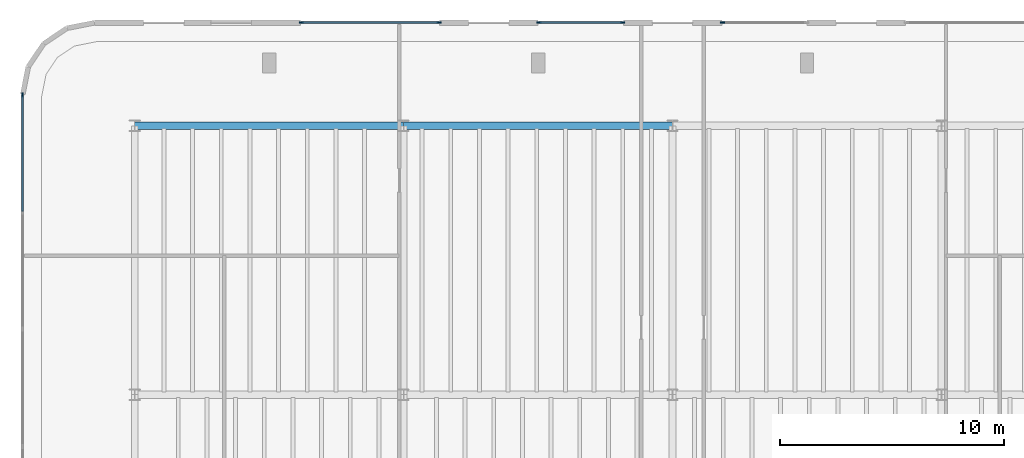
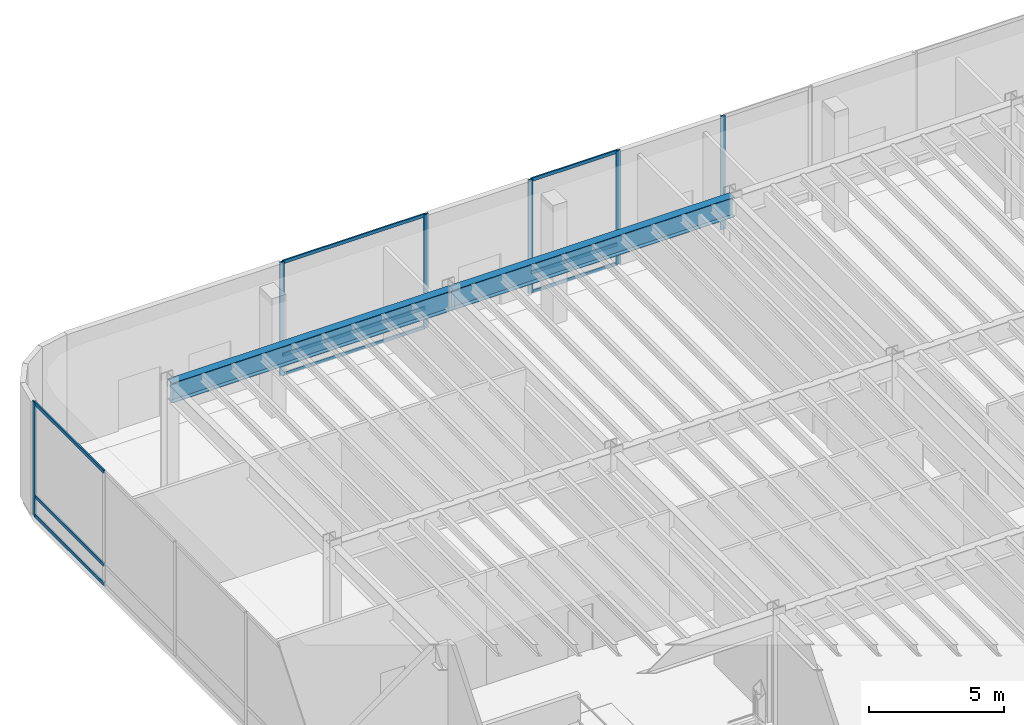
# One storey, part 4 of 17: 15 members, 2 beams, 4 elements without a shape of their own.
"""IFC4 building model written with IfcOpenShell, lengths in metres."""

from ifc_helpers import new_model, si_unit, direction, frame, origin, origin_2d, place, context, subcontext, project, spatial, rectangle, i_section, extrude, source, transform, mapped, material, layer, layer_set, material_profile, profile_set, type_object, element, aggregate, save


model = new_model("IFC4")

# Units and contexts
model_context = context("Model", 3, precision=1e-05, world=origin(), true_north=direction((0.0, 1.0)))
body_context = subcontext(model_context, "Body", "Model", "MODEL_VIEW")
ifc_project = project(units=[si_unit("LENGTHUNIT", "METRE"), si_unit("AREAUNIT", "SQUARE_METRE"), si_unit("VOLUMEUNIT", "CUBIC_METRE"), si_unit("PLANEANGLEUNIT", "RADIAN"), si_unit("MASSUNIT", "GRAM", prefix="KILO")], contexts=[model_context])

# Site, building, storey
site_placement = place(None, origin())
site = spatial("IfcSite", under=ifc_project, at=site_placement, CompositionType="ELEMENT")
building_placement = place(site_placement, origin())
building = spatial("IfcBuilding", under=site, at=building_placement, Name="Brelvock Crest Care Tower", CompositionType="ELEMENT")
storey_placement = place(building_placement, origin())
storey = spatial("IfcBuildingStorey", under=building, at=storey_placement, Name="L00", CompositionType="ELEMENT", Elevation=0.0)

# Beams
ifc_material_1 = material(Name="Steel Grade 350", Category="steel")
ifc_material_profile_1 = material_profile(ifc_material_1, i_section(OverallWidth=0.35009765625, OverallDepth=0.89990234375, WebThickness=0.01611328125, FlangeThickness=0.028076171875, at=origin_2d()), Name="900WB257")
ifc_profile_set_1 = profile_set([ifc_material_profile_1], Name="Steel Grade 350")
beam_type = type_object("IfcBeamType", Name="BM-G6", PredefinedType="BEAM", material=ifc_profile_set_1)
shared_shape_1 = source(origin(), body_context, "Body", "SweptSolid", [
    extrude(i_section(OverallWidth=0.35009765625, OverallDepth=0.89990234375, WebThickness=0.01611328125, FlangeThickness=0.028076171875, at=origin_2d()), origin(), (0.0, 0.0, 1.0), 12.0),
])
for number, where, z_axis, x_axis, name in (
    (1, (12.0, 54.0, 4.669921875), (1.0, 0.0, 0.0), (0.0, 1.0, 0.0), "BM-PODX-L00-54-12"),
    (2, (24.0, 54.0, 4.669921875), (1.0, 0.0, 0.0), (0.0, 1.0, 0.0), "BM-PODX-L00-54-24"),
):
    element("IfcBeam", number, at=place(storey_placement, frame(where, z_axis=z_axis, x_axis=x_axis)), inside=storey, type_object=beam_type, Name=name, PredefinedType="BEAM", context=body_context, shape_type="MappedRepresentation", body=[
        mapped(shared_shape_1, transform((0.0, 0.0, 0.0), x_axis=(1.0, 0.0, 0.0), y_axis=(0.0, 1.0, 0.0), z_axis=(0.0, 0.0, 1.0), scale=1.0)),
    ])

# Curtain wall, member
ifc_material_2 = material(Name="Dark Glass Double Glazed Low-E", Category="glass")
ifc_layer = layer(ifc_material_2, 0.179931640625, Name="CWS-1")
ifc_layer_set = layer_set([ifc_layer], Name="Dark Glass Double Glazed Low-E")
curtain_wall_type = type_object("IfcCurtainWallType", Name="CWS-1", PredefinedType="NOTDEFINED", material=ifc_layer_set)
curtain_wall_1_placement = place(storey_placement, origin())
curtain_wall_1 = element("IfcCurtainWall", 3, at=curtain_wall_1_placement, inside=storey, type_object=curtain_wall_type, Name="L00 Curtain Wall WN", PredefinedType="NOTDEFINED")
ifc_material_3 = material(Name="Aluminium 6063-T6", Category="aluminium")
ifc_material_profile_2 = material_profile(ifc_material_3, rectangle(XDim=0.06494140625, YDim=0.199951171875, at=origin_2d()), Name="ALU65x200")
ifc_profile_set_2 = profile_set([ifc_material_profile_2], Name="Aluminium 6063-T6")
member_type_1 = type_object("IfcMemberType", Name="CWM-1", PredefinedType="MULLION", material=ifc_profile_set_2)
shared_shape_2 = source(origin(), body_context, "Body", "SweptSolid", [
    extrude(rectangle(XDim=0.06494140625, YDim=0.199951171875, at=origin_2d()), origin(), (0.0, 0.0, 1.0), 5.1201171875),
])
member_1_placement = place(storey_placement, frame((7.0, 55.367431640625, 0.0), z_axis=(0.0, 0.0, 1.0), x_axis=(-1.0, 0.0, 0.0)))
member_1 = element("IfcMember", 4, at=member_1_placement, type_object=member_type_1, Name="CW-1 mullion 5", PredefinedType="MULLION", context=body_context, shape_type="MappedRepresentation", body=[
    mapped(shared_shape_2, transform((0.0, 0.0, 0.0), x_axis=(1.0, 0.0, 0.0), y_axis=(0.0, 1.0, 0.0), z_axis=(0.0, 0.0, 1.0), scale=1.0)),
])

# Curtain wall, members
curtain_wall_2_placement = place(storey_placement, origin())
curtain_wall_2 = element("IfcCurtainWall", 5, at=curtain_wall_2_placement, inside=storey, type_object=curtain_wall_type, Name="L00 Curtain Wall NCW1", PredefinedType="NOTDEFINED")
member_2_placement = place(storey_placement, frame((19.4326171875, 58.60009765625, 0.0), z_axis=(0.0, 0.0, 1.0), x_axis=(0.0, 1.0, 0.0)))
member_2 = element("IfcMember", 6, at=member_2_placement, type_object=member_type_1, Name="CW-1 mullion 1", PredefinedType="MULLION", context=body_context, shape_type="MappedRepresentation", body=[
    mapped(shared_shape_2, transform((0.0, 0.0, 0.0), x_axis=(1.0, 0.0, 0.0), y_axis=(0.0, 1.0, 0.0), z_axis=(0.0, 0.0, 1.0), scale=1.0)),
])
member_3_placement = place(storey_placement, frame((25.5673828125, 58.60009765625, 0.0), z_axis=(0.0, 0.0, 1.0), x_axis=(0.0, 1.0, 0.0)))
member_3 = element("IfcMember", 7, at=member_3_placement, type_object=member_type_1, Name="CW-1 mullion 2", PredefinedType="MULLION", context=body_context, shape_type="MappedRepresentation", body=[
    mapped(shared_shape_2, transform((0.0, 0.0, 0.0), x_axis=(1.0, 0.0, 0.0), y_axis=(0.0, 1.0, 0.0), z_axis=(0.0, 0.0, 1.0), scale=1.0)),
])

curtain_wall_3_placement = place(storey_placement, origin())
curtain_wall_3 = element("IfcCurtainWall", 8, at=curtain_wall_3_placement, inside=storey, type_object=curtain_wall_type, Name="L00 Curtain Wall NCW2A", PredefinedType="NOTDEFINED")
member_4_placement = place(storey_placement, frame((30.032470703125, 58.60009765625, 0.0), z_axis=(0.0, 0.0, 1.0), x_axis=(0.0, 1.0, 0.0)))
member_4 = element("IfcMember", 9, at=member_4_placement, type_object=member_type_1, Name="CW-1 mullion 1", PredefinedType="MULLION", context=body_context, shape_type="MappedRepresentation", body=[
    mapped(shared_shape_2, transform((0.0, 0.0, 0.0), x_axis=(1.0, 0.0, 0.0), y_axis=(0.0, 1.0, 0.0), z_axis=(0.0, 0.0, 1.0), scale=1.0)),
])
member_5_placement = place(storey_placement, frame((33.767578125, 58.60009765625, 0.0), z_axis=(0.0, 0.0, 1.0), x_axis=(0.0, 1.0, 0.0)))
member_5 = element("IfcMember", 10, at=member_5_placement, type_object=member_type_1, Name="CW-1 mullion 2", PredefinedType="MULLION", context=body_context, shape_type="MappedRepresentation", body=[
    mapped(shared_shape_2, transform((0.0, 0.0, 0.0), x_axis=(1.0, 0.0, 0.0), y_axis=(0.0, 1.0, 0.0), z_axis=(0.0, 0.0, 1.0), scale=1.0)),
])

# Curtain wall, member
curtain_wall_4_placement = place(storey_placement, origin())
curtain_wall_4 = element("IfcCurtainWall", 11, at=curtain_wall_4_placement, inside=storey, type_object=curtain_wall_type, Name="L00 Curtain Wall NCW2B", PredefinedType="NOTDEFINED")
member_6_placement = place(storey_placement, frame((38.232421875, 58.60009765625, 0.0), z_axis=(0.0, 0.0, 1.0), x_axis=(0.0, 1.0, 0.0)))
member_6 = element("IfcMember", 12, at=member_6_placement, type_object=member_type_1, Name="CW-1 mullion 1", PredefinedType="MULLION", context=body_context, shape_type="MappedRepresentation", body=[
    mapped(shared_shape_2, transform((0.0, 0.0, 0.0), x_axis=(1.0, 0.0, 0.0), y_axis=(0.0, 1.0, 0.0), z_axis=(0.0, 0.0, 1.0), scale=1.0)),
])
aggregate(curtain_wall_4, [member_6])

# Member
ifc_material_profile_3 = material_profile(ifc_material_3, rectangle(XDim=0.06494140625, YDim=0.14990234375, at=origin_2d()), Name="ALU65x150")
ifc_profile_set_3 = profile_set([ifc_material_profile_3], Name="Aluminium 6063-T6")
member_type_2 = type_object("IfcMemberType", Name="CWT-1", PredefinedType="USERDEFINED", material=ifc_profile_set_3)
shared_shape_3 = source(origin(), body_context, "Body", "SweptSolid", [
    extrude(rectangle(XDim=0.06494140625, YDim=0.14990234375, at=origin_2d()), origin(), (0.0, 0.0, 1.0), 5.139892578125),
])
member_7_placement = place(storey_placement, frame((7.0, 50.195068359375, 0.032470703125), z_axis=(0.0, 1.0, 0.0), x_axis=(-1.0, 0.0, 0.0)))
member_7 = element("IfcMember", 13, at=member_7_placement, type_object=member_type_2, Name="CW-1 transom 4.1", ObjectType="TRANSOM", PredefinedType="USERDEFINED", context=body_context, shape_type="MappedRepresentation", body=[
    mapped(shared_shape_3, transform((0.0, 0.0, 0.0), x_axis=(1.0, 0.0, 0.0), y_axis=(0.0, 1.0, 0.0), z_axis=(0.0, 0.0, 1.0), scale=1.0)),
])

member_8_placement = place(storey_placement, frame((7.0, 50.195068359375, 0.89990234375), z_axis=(0.0, 1.0, 0.0), x_axis=(-1.0, 0.0, 0.0)))
member_8 = element("IfcMember", 14, at=member_8_placement, type_object=member_type_2, Name="CW-1 transom 4.2", ObjectType="TRANSOM", PredefinedType="USERDEFINED", context=body_context, shape_type="MappedRepresentation", body=[
    mapped(shared_shape_3, transform((0.0, 0.0, 0.0), x_axis=(1.0, 0.0, 0.0), y_axis=(0.0, 1.0, 0.0), z_axis=(0.0, 0.0, 1.0), scale=1.0)),
])

member_9_placement = place(storey_placement, frame((7.0, 50.195068359375, 5.08740234375), z_axis=(0.0, 1.0, 0.0), x_axis=(-1.0, 0.0, 0.0)))
member_9 = element("IfcMember", 15, at=member_9_placement, type_object=member_type_2, Name="CW-1 transom 4.3", ObjectType="TRANSOM", PredefinedType="USERDEFINED", context=body_context, shape_type="MappedRepresentation", body=[
    mapped(shared_shape_3, transform((0.0, 0.0, 0.0), x_axis=(1.0, 0.0, 0.0), y_axis=(0.0, 1.0, 0.0), z_axis=(0.0, 0.0, 1.0), scale=1.0)),
])

aggregate(curtain_wall_1, [member_1, member_7, member_8, member_9])

shared_shape_4 = source(origin(), body_context, "Body", "SweptSolid", [
    extrude(rectangle(XDim=0.06494140625, YDim=0.14990234375, at=origin_2d()), origin(), (0.0, 0.0, 1.0), 6.06982421875),
])
member_10_placement = place(storey_placement, frame((19.465087890625, 58.60009765625, 0.032470703125), z_axis=(1.0, 0.0, 0.0), x_axis=(0.0, 1.0, 0.0)))
member_10 = element("IfcMember", 16, at=member_10_placement, type_object=member_type_2, Name="CW-1 transom 1.1", ObjectType="TRANSOM", PredefinedType="USERDEFINED", context=body_context, shape_type="MappedRepresentation", body=[
    mapped(shared_shape_4, transform((0.0, 0.0, 0.0), x_axis=(1.0, 0.0, 0.0), y_axis=(0.0, 1.0, 0.0), z_axis=(0.0, 0.0, 1.0), scale=1.0)),
])

member_11_placement = place(storey_placement, frame((19.465087890625, 58.60009765625, 0.89990234375), z_axis=(1.0, 0.0, 0.0), x_axis=(0.0, 1.0, 0.0)))
member_11 = element("IfcMember", 17, at=member_11_placement, type_object=member_type_2, Name="CW-1 transom 1.2", ObjectType="TRANSOM", PredefinedType="USERDEFINED", context=body_context, shape_type="MappedRepresentation", body=[
    mapped(shared_shape_4, transform((0.0, 0.0, 0.0), x_axis=(1.0, 0.0, 0.0), y_axis=(0.0, 1.0, 0.0), z_axis=(0.0, 0.0, 1.0), scale=1.0)),
])

member_12_placement = place(storey_placement, frame((19.465087890625, 58.60009765625, 5.08740234375), z_axis=(1.0, 0.0, 0.0), x_axis=(0.0, 1.0, 0.0)))
member_12 = element("IfcMember", 18, at=member_12_placement, type_object=member_type_2, Name="CW-1 transom 1.3", ObjectType="TRANSOM", PredefinedType="USERDEFINED", context=body_context, shape_type="MappedRepresentation", body=[
    mapped(shared_shape_4, transform((0.0, 0.0, 0.0), x_axis=(1.0, 0.0, 0.0), y_axis=(0.0, 1.0, 0.0), z_axis=(0.0, 0.0, 1.0), scale=1.0)),
])

aggregate(curtain_wall_2, [member_2, member_3, member_10, member_11, member_12])

shared_shape_5 = source(origin(), body_context, "Body", "SweptSolid", [
    extrude(rectangle(XDim=0.06494140625, YDim=0.14990234375, at=origin_2d()), origin(), (0.0, 0.0, 1.0), 3.670166015625),
])
member_13_placement = place(storey_placement, frame((30.06494140625, 58.60009765625, 0.032470703125), z_axis=(1.0, 0.0, 0.0), x_axis=(0.0, 1.0, 0.0)))
member_13 = element("IfcMember", 19, at=member_13_placement, type_object=member_type_2, Name="CW-1 transom 1.1", ObjectType="TRANSOM", PredefinedType="USERDEFINED", context=body_context, shape_type="MappedRepresentation", body=[
    mapped(shared_shape_5, transform((0.0, 0.0, 0.0), x_axis=(1.0, 0.0, 0.0), y_axis=(0.0, 1.0, 0.0), z_axis=(0.0, 0.0, 1.0), scale=1.0)),
])

member_14_placement = place(storey_placement, frame((30.06494140625, 58.60009765625, 0.89990234375), z_axis=(1.0, 0.0, 0.0), x_axis=(0.0, 1.0, 0.0)))
member_14 = element("IfcMember", 20, at=member_14_placement, type_object=member_type_2, Name="CW-1 transom 1.2", ObjectType="TRANSOM", PredefinedType="USERDEFINED", context=body_context, shape_type="MappedRepresentation", body=[
    mapped(shared_shape_5, transform((0.0, 0.0, 0.0), x_axis=(1.0, 0.0, 0.0), y_axis=(0.0, 1.0, 0.0), z_axis=(0.0, 0.0, 1.0), scale=1.0)),
])

member_15_placement = place(storey_placement, frame((30.06494140625, 58.60009765625, 5.08740234375), z_axis=(1.0, 0.0, 0.0), x_axis=(0.0, 1.0, 0.0)))
member_15 = element("IfcMember", 21, at=member_15_placement, type_object=member_type_2, Name="CW-1 transom 1.3", ObjectType="TRANSOM", PredefinedType="USERDEFINED", context=body_context, shape_type="MappedRepresentation", body=[
    mapped(shared_shape_5, transform((0.0, 0.0, 0.0), x_axis=(1.0, 0.0, 0.0), y_axis=(0.0, 1.0, 0.0), z_axis=(0.0, 0.0, 1.0), scale=1.0)),
])

aggregate(curtain_wall_3, [member_4, member_5, member_13, member_14, member_15])

save(model, "model.ifc")
